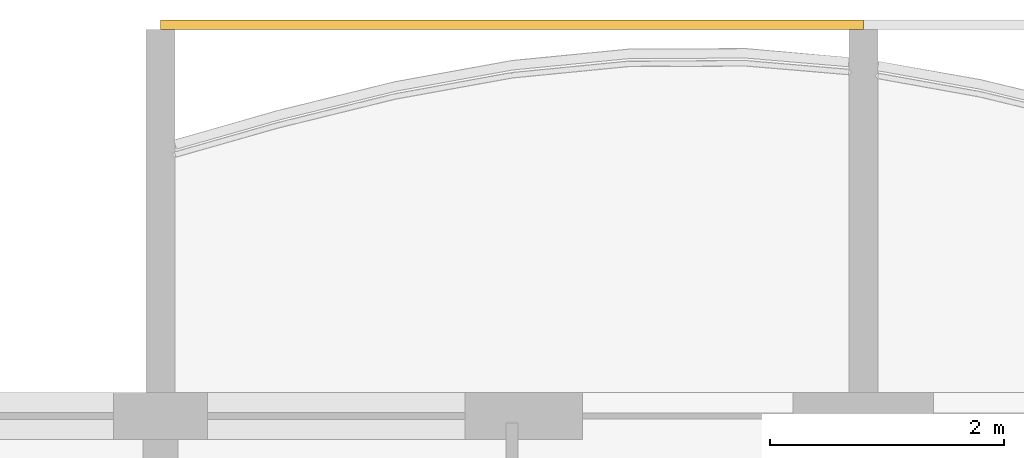
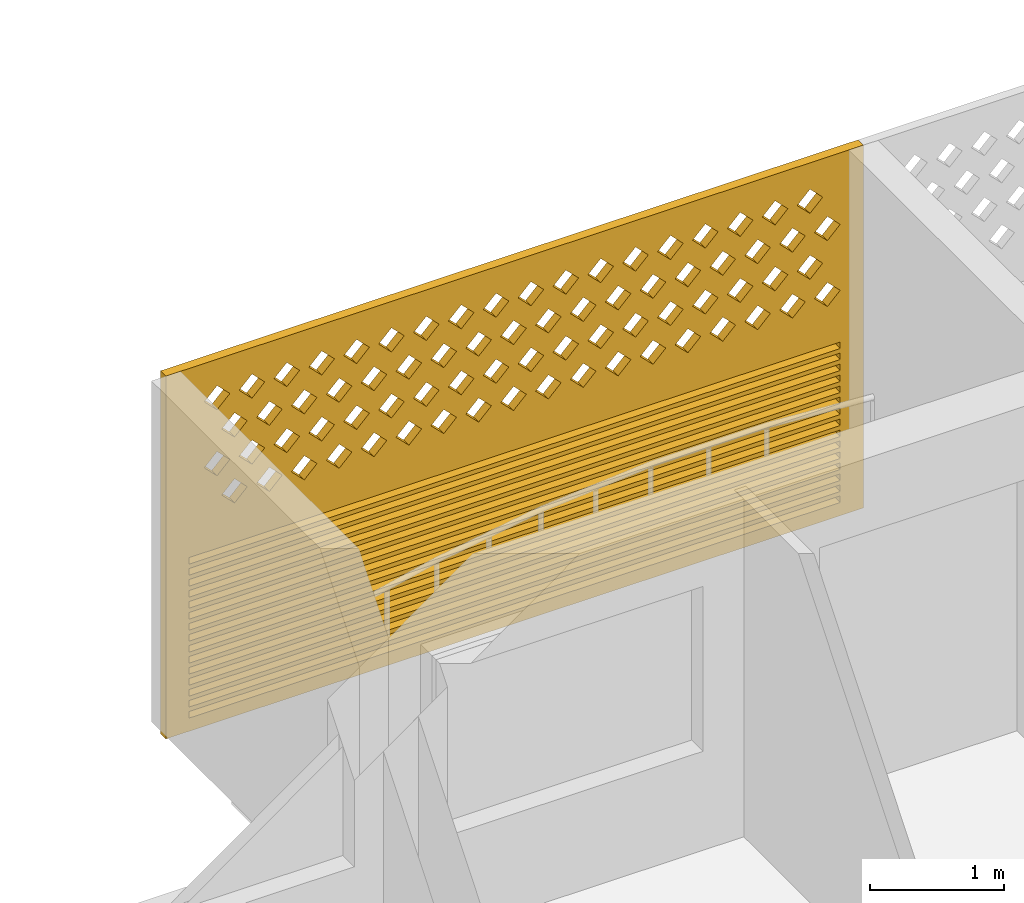
# One storey, part 23 of 31: 1 covering.
"""IFC4 building model written with IfcOpenShell, lengths in metres."""

from ifc_helpers import new_model, si_unit, direction, frame, origin, place, context, subcontext, project, spatial, polyline, outline, extrude, source, transform, mapped, material, material_profile, profile_set, type_object, element, save


model = new_model("IFC4")

# Units and contexts
model_context = context("Model", 3, precision=1e-05, world=origin(), true_north=direction((0.0, 1.0)))
body_context = subcontext(model_context, "Body", "Model", "MODEL_VIEW")
ifc_project = project(units=[si_unit("LENGTHUNIT", "METRE"), si_unit("AREAUNIT", "SQUARE_METRE"), si_unit("VOLUMEUNIT", "CUBIC_METRE"), si_unit("PLANEANGLEUNIT", "RADIAN"), si_unit("MASSUNIT", "GRAM", prefix="KILO")], contexts=[model_context])

# Site, building, storey
site_placement = place(None, origin())
site = spatial("IfcSite", under=ifc_project, at=site_placement, CompositionType="ELEMENT")
building_placement = place(site_placement, origin())
building = spatial("IfcBuilding", under=site, at=building_placement, Name="Poui Terraces", CompositionType="ELEMENT")
storey_placement = place(building_placement, frame((0.0, 0.0, 148.800048828125)))
storey = spatial("IfcBuildingStorey", under=building, at=storey_placement, Name="L41", CompositionType="ELEMENT", Elevation=148.800048828125)

# Covering
ifc_material = material(Name="Terracotta screen", Category="masonry")
ifc_material_profile = material_profile(ifc_material, outline(polyline([(-3.0, -1.64990234375), (3.0, -1.64990234375), (3.0, 1.64990234375), (-3.0, 1.64990234375), (-3.0, -1.64990234375)]), holes=[polyline([(-2.800048828125, 0.39990234375), (-2.68994140625, 0.2900390625), (-2.580078125, 0.39990234375), (-2.68994140625, 0.510009765625), (-2.800048828125, 0.39990234375)]), polyline([(-2.5, 0.39990234375), (-2.389892578125, 0.2900390625), (-2.280029296875, 0.39990234375), (-2.389892578125, 0.510009765625), (-2.5, 0.39990234375)]), polyline([(-2.199951171875, 0.39990234375), (-2.090087890625, 0.2900390625), (-1.97998046875, 0.39990234375), (-2.090087890625, 0.510009765625), (-2.199951171875, 0.39990234375)]), polyline([(-1.89990234375, 0.39990234375), (-1.7900390625, 0.2900390625), (-1.679931640625, 0.39990234375), (-1.7900390625, 0.510009765625), (-1.89990234375, 0.39990234375)]), polyline([(-1.60009765625, 0.39990234375), (-1.489990234375, 0.2900390625), (-1.3798828125, 0.39990234375), (-1.489990234375, 0.510009765625), (-1.60009765625, 0.39990234375)]), polyline([(-1.300048828125, 0.39990234375), (-1.18994140625, 0.2900390625), (-1.080078125, 0.39990234375), (-1.18994140625, 0.510009765625), (-1.300048828125, 0.39990234375)]), polyline([(-1.0, 0.39990234375), (-0.889892578125, 0.2900390625), (-0.780029296875, 0.39990234375), (-0.889892578125, 0.510009765625), (-1.0, 0.39990234375)]), polyline([(-0.699951171875, 0.39990234375), (-0.590087890625, 0.2900390625), (-0.47998046875, 0.39990234375), (-0.590087890625, 0.510009765625), (-0.699951171875, 0.39990234375)]), polyline([(-0.39990234375, 0.39990234375), (-0.2900390625, 0.2900390625), (-0.179931640625, 0.39990234375), (-0.2900390625, 0.510009765625), (-0.39990234375, 0.39990234375)]), polyline([(-0.10009765625, 0.39990234375), (0.010009765625, 0.2900390625), (0.1201171875, 0.39990234375), (0.010009765625, 0.510009765625), (-0.10009765625, 0.39990234375)]), polyline([(0.199951171875, 0.39990234375), (0.31005859375, 0.2900390625), (0.419921875, 0.39990234375), (0.31005859375, 0.510009765625), (0.199951171875, 0.39990234375)]), polyline([(0.5, 0.39990234375), (0.610107421875, 0.2900390625), (0.719970703125, 0.39990234375), (0.610107421875, 0.510009765625), (0.5, 0.39990234375)]), polyline([(0.800048828125, 0.39990234375), (0.909912109375, 0.2900390625), (1.02001953125, 0.39990234375), (0.909912109375, 0.510009765625), (0.800048828125, 0.39990234375)]), polyline([(1.10009765625, 0.39990234375), (1.2099609375, 0.2900390625), (1.320068359375, 0.39990234375), (1.2099609375, 0.510009765625), (1.10009765625, 0.39990234375)]), polyline([(1.39990234375, 0.39990234375), (1.510009765625, 0.2900390625), (1.6201171875, 0.39990234375), (1.510009765625, 0.510009765625), (1.39990234375, 0.39990234375)]), polyline([(1.699951171875, 0.39990234375), (1.81005859375, 0.2900390625), (1.919921875, 0.39990234375), (1.81005859375, 0.510009765625), (1.699951171875, 0.39990234375)]), polyline([(2.0, 0.39990234375), (2.110107421875, 0.2900390625), (2.219970703125, 0.39990234375), (2.110107421875, 0.510009765625), (2.0, 0.39990234375)]), polyline([(2.300048828125, 0.39990234375), (2.409912109375, 0.2900390625), (2.52001953125, 0.39990234375), (2.409912109375, 0.510009765625), (2.300048828125, 0.39990234375)]), polyline([(-2.64990234375, 0.699951171875), (-2.5400390625, 0.590087890625), (-2.429931640625, 0.699951171875), (-2.5400390625, 0.81005859375), (-2.64990234375, 0.699951171875)]), polyline([(-2.35009765625, 0.699951171875), (-2.239990234375, 0.590087890625), (-2.1298828125, 0.699951171875), (-2.239990234375, 0.81005859375), (-2.35009765625, 0.699951171875)]), polyline([(-2.050048828125, 0.699951171875), (-1.93994140625, 0.590087890625), (-1.830078125, 0.699951171875), (-1.93994140625, 0.81005859375), (-2.050048828125, 0.699951171875)]), polyline([(-1.75, 0.699951171875), (-1.639892578125, 0.590087890625), (-1.530029296875, 0.699951171875), (-1.639892578125, 0.81005859375), (-1.75, 0.699951171875)]), polyline([(-1.449951171875, 0.699951171875), (-1.340087890625, 0.590087890625), (-1.22998046875, 0.699951171875), (-1.340087890625, 0.81005859375), (-1.449951171875, 0.699951171875)]), polyline([(-1.14990234375, 0.699951171875), (-1.0400390625, 0.590087890625), (-0.929931640625, 0.699951171875), (-1.0400390625, 0.81005859375), (-1.14990234375, 0.699951171875)]), polyline([(-0.85009765625, 0.699951171875), (-0.739990234375, 0.590087890625), (-0.6298828125, 0.699951171875), (-0.739990234375, 0.81005859375), (-0.85009765625, 0.699951171875)]), polyline([(-0.550048828125, 0.699951171875), (-0.43994140625, 0.590087890625), (-0.330078125, 0.699951171875), (-0.43994140625, 0.81005859375), (-0.550048828125, 0.699951171875)]), polyline([(-0.25, 0.699951171875), (-0.139892578125, 0.590087890625), (-0.030029296875, 0.699951171875), (-0.139892578125, 0.81005859375), (-0.25, 0.699951171875)]), polyline([(0.050048828125, 0.699951171875), (0.159912109375, 0.590087890625), (0.27001953125, 0.699951171875), (0.159912109375, 0.81005859375), (0.050048828125, 0.699951171875)]), polyline([(0.35009765625, 0.699951171875), (0.4599609375, 0.590087890625), (0.570068359375, 0.699951171875), (0.4599609375, 0.81005859375), (0.35009765625, 0.699951171875)]), polyline([(0.64990234375, 0.699951171875), (0.760009765625, 0.590087890625), (0.8701171875, 0.699951171875), (0.760009765625, 0.81005859375), (0.64990234375, 0.699951171875)]), polyline([(0.949951171875, 0.699951171875), (1.06005859375, 0.590087890625), (1.169921875, 0.699951171875), (1.06005859375, 0.81005859375), (0.949951171875, 0.699951171875)]), polyline([(1.25, 0.699951171875), (1.360107421875, 0.590087890625), (1.469970703125, 0.699951171875), (1.360107421875, 0.81005859375), (1.25, 0.699951171875)]), polyline([(1.550048828125, 0.699951171875), (1.659912109375, 0.590087890625), (1.77001953125, 0.699951171875), (1.659912109375, 0.81005859375), (1.550048828125, 0.699951171875)]), polyline([(1.85009765625, 0.699951171875), (1.9599609375, 0.590087890625), (2.070068359375, 0.699951171875), (1.9599609375, 0.81005859375), (1.85009765625, 0.699951171875)]), polyline([(2.14990234375, 0.699951171875), (2.260009765625, 0.590087890625), (2.3701171875, 0.699951171875), (2.260009765625, 0.81005859375), (2.14990234375, 0.699951171875)]), polyline([(2.449951171875, 0.699951171875), (2.56005859375, 0.590087890625), (2.669921875, 0.699951171875), (2.56005859375, 0.81005859375), (2.449951171875, 0.699951171875)]), polyline([(-2.800048828125, 1.0), (-2.68994140625, 0.889892578125), (-2.580078125, 1.0), (-2.68994140625, 1.110107421875), (-2.800048828125, 1.0)]), polyline([(-2.5, 1.0), (-2.389892578125, 0.889892578125), (-2.280029296875, 1.0), (-2.389892578125, 1.110107421875), (-2.5, 1.0)]), polyline([(-2.199951171875, 1.0), (-2.090087890625, 0.889892578125), (-1.97998046875, 1.0), (-2.090087890625, 1.110107421875), (-2.199951171875, 1.0)]), polyline([(-1.89990234375, 1.0), (-1.7900390625, 0.889892578125), (-1.679931640625, 1.0), (-1.7900390625, 1.110107421875), (-1.89990234375, 1.0)]), polyline([(-1.60009765625, 1.0), (-1.489990234375, 0.889892578125), (-1.3798828125, 1.0), (-1.489990234375, 1.110107421875), (-1.60009765625, 1.0)]), polyline([(-1.300048828125, 1.0), (-1.18994140625, 0.889892578125), (-1.080078125, 1.0), (-1.18994140625, 1.110107421875), (-1.300048828125, 1.0)]), polyline([(-1.0, 1.0), (-0.889892578125, 0.889892578125), (-0.780029296875, 1.0), (-0.889892578125, 1.110107421875), (-1.0, 1.0)]), polyline([(-0.699951171875, 1.0), (-0.590087890625, 0.889892578125), (-0.47998046875, 1.0), (-0.590087890625, 1.110107421875), (-0.699951171875, 1.0)]), polyline([(-0.39990234375, 1.0), (-0.2900390625, 0.889892578125), (-0.179931640625, 1.0), (-0.2900390625, 1.110107421875), (-0.39990234375, 1.0)]), polyline([(-0.10009765625, 1.0), (0.010009765625, 0.889892578125), (0.1201171875, 1.0), (0.010009765625, 1.110107421875), (-0.10009765625, 1.0)]), polyline([(0.199951171875, 1.0), (0.31005859375, 0.889892578125), (0.419921875, 1.0), (0.31005859375, 1.110107421875), (0.199951171875, 1.0)]), polyline([(0.5, 1.0), (0.610107421875, 0.889892578125), (0.719970703125, 1.0), (0.610107421875, 1.110107421875), (0.5, 1.0)]), polyline([(0.800048828125, 1.0), (0.909912109375, 0.889892578125), (1.02001953125, 1.0), (0.909912109375, 1.110107421875), (0.800048828125, 1.0)]), polyline([(1.10009765625, 1.0), (1.2099609375, 0.889892578125), (1.320068359375, 1.0), (1.2099609375, 1.110107421875), (1.10009765625, 1.0)]), polyline([(1.39990234375, 1.0), (1.510009765625, 0.889892578125), (1.6201171875, 1.0), (1.510009765625, 1.110107421875), (1.39990234375, 1.0)]), polyline([(1.699951171875, 1.0), (1.81005859375, 0.889892578125), (1.919921875, 1.0), (1.81005859375, 1.110107421875), (1.699951171875, 1.0)]), polyline([(2.0, 1.0), (2.110107421875, 0.889892578125), (2.219970703125, 1.0), (2.110107421875, 1.110107421875), (2.0, 1.0)]), polyline([(2.300048828125, 1.0), (2.409912109375, 0.889892578125), (2.52001953125, 1.0), (2.409912109375, 1.110107421875), (2.300048828125, 1.0)]), polyline([(-2.64990234375, 1.300048828125), (-2.5400390625, 1.18994140625), (-2.429931640625, 1.300048828125), (-2.5400390625, 1.409912109375), (-2.64990234375, 1.300048828125)]), polyline([(-2.35009765625, 1.300048828125), (-2.239990234375, 1.18994140625), (-2.1298828125, 1.300048828125), (-2.239990234375, 1.409912109375), (-2.35009765625, 1.300048828125)]), polyline([(-2.050048828125, 1.300048828125), (-1.93994140625, 1.18994140625), (-1.830078125, 1.300048828125), (-1.93994140625, 1.409912109375), (-2.050048828125, 1.300048828125)]), polyline([(-1.75, 1.300048828125), (-1.639892578125, 1.18994140625), (-1.530029296875, 1.300048828125), (-1.639892578125, 1.409912109375), (-1.75, 1.300048828125)]), polyline([(-1.449951171875, 1.300048828125), (-1.340087890625, 1.18994140625), (-1.22998046875, 1.300048828125), (-1.340087890625, 1.409912109375), (-1.449951171875, 1.300048828125)]), polyline([(-1.14990234375, 1.300048828125), (-1.0400390625, 1.18994140625), (-0.929931640625, 1.300048828125), (-1.0400390625, 1.409912109375), (-1.14990234375, 1.300048828125)]), polyline([(-0.85009765625, 1.300048828125), (-0.739990234375, 1.18994140625), (-0.6298828125, 1.300048828125), (-0.739990234375, 1.409912109375), (-0.85009765625, 1.300048828125)]), polyline([(-0.550048828125, 1.300048828125), (-0.43994140625, 1.18994140625), (-0.330078125, 1.300048828125), (-0.43994140625, 1.409912109375), (-0.550048828125, 1.300048828125)]), polyline([(-0.25, 1.300048828125), (-0.139892578125, 1.18994140625), (-0.030029296875, 1.300048828125), (-0.139892578125, 1.409912109375), (-0.25, 1.300048828125)]), polyline([(0.050048828125, 1.300048828125), (0.159912109375, 1.18994140625), (0.27001953125, 1.300048828125), (0.159912109375, 1.409912109375), (0.050048828125, 1.300048828125)]), polyline([(0.35009765625, 1.300048828125), (0.4599609375, 1.18994140625), (0.570068359375, 1.300048828125), (0.4599609375, 1.409912109375), (0.35009765625, 1.300048828125)]), polyline([(0.64990234375, 1.300048828125), (0.760009765625, 1.18994140625), (0.8701171875, 1.300048828125), (0.760009765625, 1.409912109375), (0.64990234375, 1.300048828125)]), polyline([(0.949951171875, 1.300048828125), (1.06005859375, 1.18994140625), (1.169921875, 1.300048828125), (1.06005859375, 1.409912109375), (0.949951171875, 1.300048828125)]), polyline([(1.25, 1.300048828125), (1.360107421875, 1.18994140625), (1.469970703125, 1.300048828125), (1.360107421875, 1.409912109375), (1.25, 1.300048828125)]), polyline([(1.550048828125, 1.300048828125), (1.659912109375, 1.18994140625), (1.77001953125, 1.300048828125), (1.659912109375, 1.409912109375), (1.550048828125, 1.300048828125)]), polyline([(1.85009765625, 1.300048828125), (1.9599609375, 1.18994140625), (2.070068359375, 1.300048828125), (1.9599609375, 1.409912109375), (1.85009765625, 1.300048828125)]), polyline([(2.14990234375, 1.300048828125), (2.260009765625, 1.18994140625), (2.3701171875, 1.300048828125), (2.260009765625, 1.409912109375), (2.14990234375, 1.300048828125)]), polyline([(2.449951171875, 1.300048828125), (2.56005859375, 1.18994140625), (2.669921875, 1.300048828125), (2.56005859375, 1.409912109375), (2.449951171875, 1.300048828125)]), polyline([(-2.800048828125, -1.530029296875), (2.800048828125, -1.530029296875), (2.800048828125, -1.469970703125), (-2.800048828125, -1.469970703125), (-2.800048828125, -1.530029296875)]), polyline([(-2.800048828125, -1.429931640625), (2.800048828125, -1.429931640625), (2.800048828125, -1.3701171875), (-2.800048828125, -1.3701171875), (-2.800048828125, -1.429931640625)]), polyline([(-2.800048828125, -1.330078125), (2.800048828125, -1.330078125), (2.800048828125, -1.27001953125), (-2.800048828125, -1.27001953125), (-2.800048828125, -1.330078125)]), polyline([(-2.800048828125, -1.22998046875), (2.800048828125, -1.22998046875), (2.800048828125, -1.169921875), (-2.800048828125, -1.169921875), (-2.800048828125, -1.22998046875)]), polyline([(-2.800048828125, -1.1298828125), (2.800048828125, -1.1298828125), (2.800048828125, -1.070068359375), (-2.800048828125, -1.070068359375), (-2.800048828125, -1.1298828125)]), polyline([(-2.800048828125, -1.030029296875), (2.800048828125, -1.030029296875), (2.800048828125, -0.969970703125), (-2.800048828125, -0.969970703125), (-2.800048828125, -1.030029296875)]), polyline([(-2.800048828125, -0.929931640625), (2.800048828125, -0.929931640625), (2.800048828125, -0.8701171875), (-2.800048828125, -0.8701171875), (-2.800048828125, -0.929931640625)]), polyline([(-2.800048828125, -0.830078125), (2.800048828125, -0.830078125), (2.800048828125, -0.77001953125), (-2.800048828125, -0.77001953125), (-2.800048828125, -0.830078125)]), polyline([(-2.800048828125, -0.72998046875), (2.800048828125, -0.72998046875), (2.800048828125, -0.669921875), (-2.800048828125, -0.669921875), (-2.800048828125, -0.72998046875)]), polyline([(-2.800048828125, -0.6298828125), (2.800048828125, -0.6298828125), (2.800048828125, -0.570068359375), (-2.800048828125, -0.570068359375), (-2.800048828125, -0.6298828125)]), polyline([(-2.800048828125, -0.530029296875), (2.800048828125, -0.530029296875), (2.800048828125, -0.469970703125), (-2.800048828125, -0.469970703125), (-2.800048828125, -0.530029296875)]), polyline([(-2.800048828125, -0.429931640625), (2.800048828125, -0.429931640625), (2.800048828125, -0.3701171875), (-2.800048828125, -0.3701171875), (-2.800048828125, -0.429931640625)]), polyline([(-2.800048828125, -0.330078125), (2.800048828125, -0.330078125), (2.800048828125, -0.27001953125), (-2.800048828125, -0.27001953125), (-2.800048828125, -0.330078125)]), polyline([(-2.800048828125, -0.22998046875), (2.800048828125, -0.22998046875), (2.800048828125, -0.169921875), (-2.800048828125, -0.169921875), (-2.800048828125, -0.22998046875)]), polyline([(-2.800048828125, -0.1298828125), (2.800048828125, -0.1298828125), (2.800048828125, -0.070068359375), (-2.800048828125, -0.070068359375), (-2.800048828125, -0.1298828125)])]), Name="TERRACOTTA SCREEN AND JALOUSIE LOUVRE 6000X3300")
ifc_profile_set = profile_set([ifc_material_profile], Name="Terracotta screen")
covering_type = type_object("IfcCoveringType", Name="TERRACOTTA SCREEN AND JALOUSIE LOUVRE 6000X3300", PredefinedType="CLADDING", material=ifc_profile_set)
shared_shape = source(origin(), body_context, "Body", "SweptSolid", [
    extrude(outline(polyline([(-3.0, -1.64990234375), (3.0, -1.64990234375), (3.0, 1.64990234375), (-3.0, 1.64990234375), (-3.0, -1.64990234375)]), holes=[polyline([(-2.800048828125, 0.39990234375), (-2.68994140625, 0.2900390625), (-2.580078125, 0.39990234375), (-2.68994140625, 0.510009765625), (-2.800048828125, 0.39990234375)]), polyline([(-2.5, 0.39990234375), (-2.389892578125, 0.2900390625), (-2.280029296875, 0.39990234375), (-2.389892578125, 0.510009765625), (-2.5, 0.39990234375)]), polyline([(-2.199951171875, 0.39990234375), (-2.090087890625, 0.2900390625), (-1.97998046875, 0.39990234375), (-2.090087890625, 0.510009765625), (-2.199951171875, 0.39990234375)]), polyline([(-1.89990234375, 0.39990234375), (-1.7900390625, 0.2900390625), (-1.679931640625, 0.39990234375), (-1.7900390625, 0.510009765625), (-1.89990234375, 0.39990234375)]), polyline([(-1.60009765625, 0.39990234375), (-1.489990234375, 0.2900390625), (-1.3798828125, 0.39990234375), (-1.489990234375, 0.510009765625), (-1.60009765625, 0.39990234375)]), polyline([(-1.300048828125, 0.39990234375), (-1.18994140625, 0.2900390625), (-1.080078125, 0.39990234375), (-1.18994140625, 0.510009765625), (-1.300048828125, 0.39990234375)]), polyline([(-1.0, 0.39990234375), (-0.889892578125, 0.2900390625), (-0.780029296875, 0.39990234375), (-0.889892578125, 0.510009765625), (-1.0, 0.39990234375)]), polyline([(-0.699951171875, 0.39990234375), (-0.590087890625, 0.2900390625), (-0.47998046875, 0.39990234375), (-0.590087890625, 0.510009765625), (-0.699951171875, 0.39990234375)]), polyline([(-0.39990234375, 0.39990234375), (-0.2900390625, 0.2900390625), (-0.179931640625, 0.39990234375), (-0.2900390625, 0.510009765625), (-0.39990234375, 0.39990234375)]), polyline([(-0.10009765625, 0.39990234375), (0.010009765625, 0.2900390625), (0.1201171875, 0.39990234375), (0.010009765625, 0.510009765625), (-0.10009765625, 0.39990234375)]), polyline([(0.199951171875, 0.39990234375), (0.31005859375, 0.2900390625), (0.419921875, 0.39990234375), (0.31005859375, 0.510009765625), (0.199951171875, 0.39990234375)]), polyline([(0.5, 0.39990234375), (0.610107421875, 0.2900390625), (0.719970703125, 0.39990234375), (0.610107421875, 0.510009765625), (0.5, 0.39990234375)]), polyline([(0.800048828125, 0.39990234375), (0.909912109375, 0.2900390625), (1.02001953125, 0.39990234375), (0.909912109375, 0.510009765625), (0.800048828125, 0.39990234375)]), polyline([(1.10009765625, 0.39990234375), (1.2099609375, 0.2900390625), (1.320068359375, 0.39990234375), (1.2099609375, 0.510009765625), (1.10009765625, 0.39990234375)]), polyline([(1.39990234375, 0.39990234375), (1.510009765625, 0.2900390625), (1.6201171875, 0.39990234375), (1.510009765625, 0.510009765625), (1.39990234375, 0.39990234375)]), polyline([(1.699951171875, 0.39990234375), (1.81005859375, 0.2900390625), (1.919921875, 0.39990234375), (1.81005859375, 0.510009765625), (1.699951171875, 0.39990234375)]), polyline([(2.0, 0.39990234375), (2.110107421875, 0.2900390625), (2.219970703125, 0.39990234375), (2.110107421875, 0.510009765625), (2.0, 0.39990234375)]), polyline([(2.300048828125, 0.39990234375), (2.409912109375, 0.2900390625), (2.52001953125, 0.39990234375), (2.409912109375, 0.510009765625), (2.300048828125, 0.39990234375)]), polyline([(-2.64990234375, 0.699951171875), (-2.5400390625, 0.590087890625), (-2.429931640625, 0.699951171875), (-2.5400390625, 0.81005859375), (-2.64990234375, 0.699951171875)]), polyline([(-2.35009765625, 0.699951171875), (-2.239990234375, 0.590087890625), (-2.1298828125, 0.699951171875), (-2.239990234375, 0.81005859375), (-2.35009765625, 0.699951171875)]), polyline([(-2.050048828125, 0.699951171875), (-1.93994140625, 0.590087890625), (-1.830078125, 0.699951171875), (-1.93994140625, 0.81005859375), (-2.050048828125, 0.699951171875)]), polyline([(-1.75, 0.699951171875), (-1.639892578125, 0.590087890625), (-1.530029296875, 0.699951171875), (-1.639892578125, 0.81005859375), (-1.75, 0.699951171875)]), polyline([(-1.449951171875, 0.699951171875), (-1.340087890625, 0.590087890625), (-1.22998046875, 0.699951171875), (-1.340087890625, 0.81005859375), (-1.449951171875, 0.699951171875)]), polyline([(-1.14990234375, 0.699951171875), (-1.0400390625, 0.590087890625), (-0.929931640625, 0.699951171875), (-1.0400390625, 0.81005859375), (-1.14990234375, 0.699951171875)]), polyline([(-0.85009765625, 0.699951171875), (-0.739990234375, 0.590087890625), (-0.6298828125, 0.699951171875), (-0.739990234375, 0.81005859375), (-0.85009765625, 0.699951171875)]), polyline([(-0.550048828125, 0.699951171875), (-0.43994140625, 0.590087890625), (-0.330078125, 0.699951171875), (-0.43994140625, 0.81005859375), (-0.550048828125, 0.699951171875)]), polyline([(-0.25, 0.699951171875), (-0.139892578125, 0.590087890625), (-0.030029296875, 0.699951171875), (-0.139892578125, 0.81005859375), (-0.25, 0.699951171875)]), polyline([(0.050048828125, 0.699951171875), (0.159912109375, 0.590087890625), (0.27001953125, 0.699951171875), (0.159912109375, 0.81005859375), (0.050048828125, 0.699951171875)]), polyline([(0.35009765625, 0.699951171875), (0.4599609375, 0.590087890625), (0.570068359375, 0.699951171875), (0.4599609375, 0.81005859375), (0.35009765625, 0.699951171875)]), polyline([(0.64990234375, 0.699951171875), (0.760009765625, 0.590087890625), (0.8701171875, 0.699951171875), (0.760009765625, 0.81005859375), (0.64990234375, 0.699951171875)]), polyline([(0.949951171875, 0.699951171875), (1.06005859375, 0.590087890625), (1.169921875, 0.699951171875), (1.06005859375, 0.81005859375), (0.949951171875, 0.699951171875)]), polyline([(1.25, 0.699951171875), (1.360107421875, 0.590087890625), (1.469970703125, 0.699951171875), (1.360107421875, 0.81005859375), (1.25, 0.699951171875)]), polyline([(1.550048828125, 0.699951171875), (1.659912109375, 0.590087890625), (1.77001953125, 0.699951171875), (1.659912109375, 0.81005859375), (1.550048828125, 0.699951171875)]), polyline([(1.85009765625, 0.699951171875), (1.9599609375, 0.590087890625), (2.070068359375, 0.699951171875), (1.9599609375, 0.81005859375), (1.85009765625, 0.699951171875)]), polyline([(2.14990234375, 0.699951171875), (2.260009765625, 0.590087890625), (2.3701171875, 0.699951171875), (2.260009765625, 0.81005859375), (2.14990234375, 0.699951171875)]), polyline([(2.449951171875, 0.699951171875), (2.56005859375, 0.590087890625), (2.669921875, 0.699951171875), (2.56005859375, 0.81005859375), (2.449951171875, 0.699951171875)]), polyline([(-2.800048828125, 1.0), (-2.68994140625, 0.889892578125), (-2.580078125, 1.0), (-2.68994140625, 1.110107421875), (-2.800048828125, 1.0)]), polyline([(-2.5, 1.0), (-2.389892578125, 0.889892578125), (-2.280029296875, 1.0), (-2.389892578125, 1.110107421875), (-2.5, 1.0)]), polyline([(-2.199951171875, 1.0), (-2.090087890625, 0.889892578125), (-1.97998046875, 1.0), (-2.090087890625, 1.110107421875), (-2.199951171875, 1.0)]), polyline([(-1.89990234375, 1.0), (-1.7900390625, 0.889892578125), (-1.679931640625, 1.0), (-1.7900390625, 1.110107421875), (-1.89990234375, 1.0)]), polyline([(-1.60009765625, 1.0), (-1.489990234375, 0.889892578125), (-1.3798828125, 1.0), (-1.489990234375, 1.110107421875), (-1.60009765625, 1.0)]), polyline([(-1.300048828125, 1.0), (-1.18994140625, 0.889892578125), (-1.080078125, 1.0), (-1.18994140625, 1.110107421875), (-1.300048828125, 1.0)]), polyline([(-1.0, 1.0), (-0.889892578125, 0.889892578125), (-0.780029296875, 1.0), (-0.889892578125, 1.110107421875), (-1.0, 1.0)]), polyline([(-0.699951171875, 1.0), (-0.590087890625, 0.889892578125), (-0.47998046875, 1.0), (-0.590087890625, 1.110107421875), (-0.699951171875, 1.0)]), polyline([(-0.39990234375, 1.0), (-0.2900390625, 0.889892578125), (-0.179931640625, 1.0), (-0.2900390625, 1.110107421875), (-0.39990234375, 1.0)]), polyline([(-0.10009765625, 1.0), (0.010009765625, 0.889892578125), (0.1201171875, 1.0), (0.010009765625, 1.110107421875), (-0.10009765625, 1.0)]), polyline([(0.199951171875, 1.0), (0.31005859375, 0.889892578125), (0.419921875, 1.0), (0.31005859375, 1.110107421875), (0.199951171875, 1.0)]), polyline([(0.5, 1.0), (0.610107421875, 0.889892578125), (0.719970703125, 1.0), (0.610107421875, 1.110107421875), (0.5, 1.0)]), polyline([(0.800048828125, 1.0), (0.909912109375, 0.889892578125), (1.02001953125, 1.0), (0.909912109375, 1.110107421875), (0.800048828125, 1.0)]), polyline([(1.10009765625, 1.0), (1.2099609375, 0.889892578125), (1.320068359375, 1.0), (1.2099609375, 1.110107421875), (1.10009765625, 1.0)]), polyline([(1.39990234375, 1.0), (1.510009765625, 0.889892578125), (1.6201171875, 1.0), (1.510009765625, 1.110107421875), (1.39990234375, 1.0)]), polyline([(1.699951171875, 1.0), (1.81005859375, 0.889892578125), (1.919921875, 1.0), (1.81005859375, 1.110107421875), (1.699951171875, 1.0)]), polyline([(2.0, 1.0), (2.110107421875, 0.889892578125), (2.219970703125, 1.0), (2.110107421875, 1.110107421875), (2.0, 1.0)]), polyline([(2.300048828125, 1.0), (2.409912109375, 0.889892578125), (2.52001953125, 1.0), (2.409912109375, 1.110107421875), (2.300048828125, 1.0)]), polyline([(-2.64990234375, 1.300048828125), (-2.5400390625, 1.18994140625), (-2.429931640625, 1.300048828125), (-2.5400390625, 1.409912109375), (-2.64990234375, 1.300048828125)]), polyline([(-2.35009765625, 1.300048828125), (-2.239990234375, 1.18994140625), (-2.1298828125, 1.300048828125), (-2.239990234375, 1.409912109375), (-2.35009765625, 1.300048828125)]), polyline([(-2.050048828125, 1.300048828125), (-1.93994140625, 1.18994140625), (-1.830078125, 1.300048828125), (-1.93994140625, 1.409912109375), (-2.050048828125, 1.300048828125)]), polyline([(-1.75, 1.300048828125), (-1.639892578125, 1.18994140625), (-1.530029296875, 1.300048828125), (-1.639892578125, 1.409912109375), (-1.75, 1.300048828125)]), polyline([(-1.449951171875, 1.300048828125), (-1.340087890625, 1.18994140625), (-1.22998046875, 1.300048828125), (-1.340087890625, 1.409912109375), (-1.449951171875, 1.300048828125)]), polyline([(-1.14990234375, 1.300048828125), (-1.0400390625, 1.18994140625), (-0.929931640625, 1.300048828125), (-1.0400390625, 1.409912109375), (-1.14990234375, 1.300048828125)]), polyline([(-0.85009765625, 1.300048828125), (-0.739990234375, 1.18994140625), (-0.6298828125, 1.300048828125), (-0.739990234375, 1.409912109375), (-0.85009765625, 1.300048828125)]), polyline([(-0.550048828125, 1.300048828125), (-0.43994140625, 1.18994140625), (-0.330078125, 1.300048828125), (-0.43994140625, 1.409912109375), (-0.550048828125, 1.300048828125)]), polyline([(-0.25, 1.300048828125), (-0.139892578125, 1.18994140625), (-0.030029296875, 1.300048828125), (-0.139892578125, 1.409912109375), (-0.25, 1.300048828125)]), polyline([(0.050048828125, 1.300048828125), (0.159912109375, 1.18994140625), (0.27001953125, 1.300048828125), (0.159912109375, 1.409912109375), (0.050048828125, 1.300048828125)]), polyline([(0.35009765625, 1.300048828125), (0.4599609375, 1.18994140625), (0.570068359375, 1.300048828125), (0.4599609375, 1.409912109375), (0.35009765625, 1.300048828125)]), polyline([(0.64990234375, 1.300048828125), (0.760009765625, 1.18994140625), (0.8701171875, 1.300048828125), (0.760009765625, 1.409912109375), (0.64990234375, 1.300048828125)]), polyline([(0.949951171875, 1.300048828125), (1.06005859375, 1.18994140625), (1.169921875, 1.300048828125), (1.06005859375, 1.409912109375), (0.949951171875, 1.300048828125)]), polyline([(1.25, 1.300048828125), (1.360107421875, 1.18994140625), (1.469970703125, 1.300048828125), (1.360107421875, 1.409912109375), (1.25, 1.300048828125)]), polyline([(1.550048828125, 1.300048828125), (1.659912109375, 1.18994140625), (1.77001953125, 1.300048828125), (1.659912109375, 1.409912109375), (1.550048828125, 1.300048828125)]), polyline([(1.85009765625, 1.300048828125), (1.9599609375, 1.18994140625), (2.070068359375, 1.300048828125), (1.9599609375, 1.409912109375), (1.85009765625, 1.300048828125)]), polyline([(2.14990234375, 1.300048828125), (2.260009765625, 1.18994140625), (2.3701171875, 1.300048828125), (2.260009765625, 1.409912109375), (2.14990234375, 1.300048828125)]), polyline([(2.449951171875, 1.300048828125), (2.56005859375, 1.18994140625), (2.669921875, 1.300048828125), (2.56005859375, 1.409912109375), (2.449951171875, 1.300048828125)]), polyline([(-2.800048828125, -1.530029296875), (2.800048828125, -1.530029296875), (2.800048828125, -1.469970703125), (-2.800048828125, -1.469970703125), (-2.800048828125, -1.530029296875)]), polyline([(-2.800048828125, -1.429931640625), (2.800048828125, -1.429931640625), (2.800048828125, -1.3701171875), (-2.800048828125, -1.3701171875), (-2.800048828125, -1.429931640625)]), polyline([(-2.800048828125, -1.330078125), (2.800048828125, -1.330078125), (2.800048828125, -1.27001953125), (-2.800048828125, -1.27001953125), (-2.800048828125, -1.330078125)]), polyline([(-2.800048828125, -1.22998046875), (2.800048828125, -1.22998046875), (2.800048828125, -1.169921875), (-2.800048828125, -1.169921875), (-2.800048828125, -1.22998046875)]), polyline([(-2.800048828125, -1.1298828125), (2.800048828125, -1.1298828125), (2.800048828125, -1.070068359375), (-2.800048828125, -1.070068359375), (-2.800048828125, -1.1298828125)]), polyline([(-2.800048828125, -1.030029296875), (2.800048828125, -1.030029296875), (2.800048828125, -0.969970703125), (-2.800048828125, -0.969970703125), (-2.800048828125, -1.030029296875)]), polyline([(-2.800048828125, -0.929931640625), (2.800048828125, -0.929931640625), (2.800048828125, -0.8701171875), (-2.800048828125, -0.8701171875), (-2.800048828125, -0.929931640625)]), polyline([(-2.800048828125, -0.830078125), (2.800048828125, -0.830078125), (2.800048828125, -0.77001953125), (-2.800048828125, -0.77001953125), (-2.800048828125, -0.830078125)]), polyline([(-2.800048828125, -0.72998046875), (2.800048828125, -0.72998046875), (2.800048828125, -0.669921875), (-2.800048828125, -0.669921875), (-2.800048828125, -0.72998046875)]), polyline([(-2.800048828125, -0.6298828125), (2.800048828125, -0.6298828125), (2.800048828125, -0.570068359375), (-2.800048828125, -0.570068359375), (-2.800048828125, -0.6298828125)]), polyline([(-2.800048828125, -0.530029296875), (2.800048828125, -0.530029296875), (2.800048828125, -0.469970703125), (-2.800048828125, -0.469970703125), (-2.800048828125, -0.530029296875)]), polyline([(-2.800048828125, -0.429931640625), (2.800048828125, -0.429931640625), (2.800048828125, -0.3701171875), (-2.800048828125, -0.3701171875), (-2.800048828125, -0.429931640625)]), polyline([(-2.800048828125, -0.330078125), (2.800048828125, -0.330078125), (2.800048828125, -0.27001953125), (-2.800048828125, -0.27001953125), (-2.800048828125, -0.330078125)]), polyline([(-2.800048828125, -0.22998046875), (2.800048828125, -0.22998046875), (2.800048828125, -0.169921875), (-2.800048828125, -0.169921875), (-2.800048828125, -0.22998046875)]), polyline([(-2.800048828125, -0.1298828125), (2.800048828125, -0.1298828125), (2.800048828125, -0.070068359375), (-2.800048828125, -0.070068359375), (-2.800048828125, -0.1298828125)])]), origin(), (0.0, 0.0, 1.0), 0.080078125),
])
covering_placement = place(storey_placement, frame((51.0, 45.699951171875, 1.449951171875), z_axis=(0.0, 1.0, 0.0), x_axis=(-1.0, 0.0, 0.0)))
element("IfcCovering", 1, at=covering_placement, inside=storey, type_object=covering_type, Name="SOLAR SCREEN AND JALOUSIE LOUVRE", PredefinedType="CLADDING", context=body_context, shape_type="MappedRepresentation", body=[
    mapped(shared_shape, transform((0.0, 0.0, 0.0))),
])

save(model, "model.ifc")
